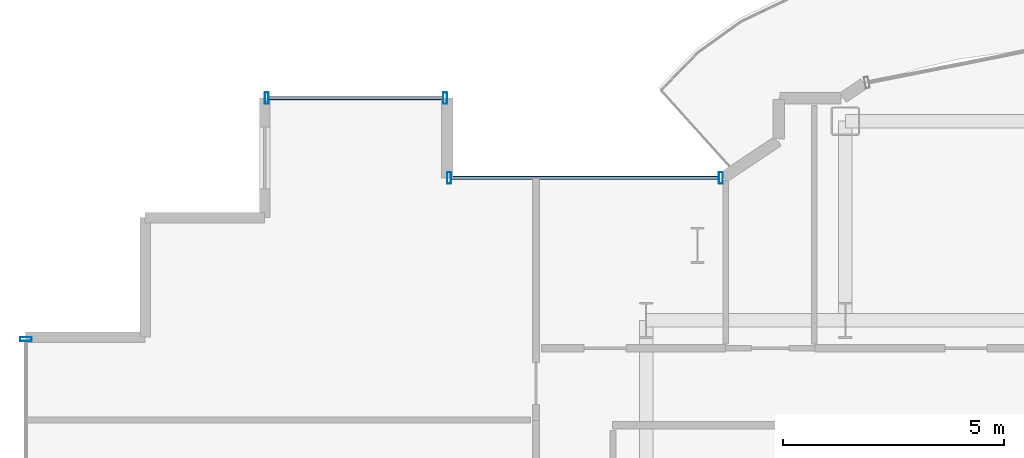
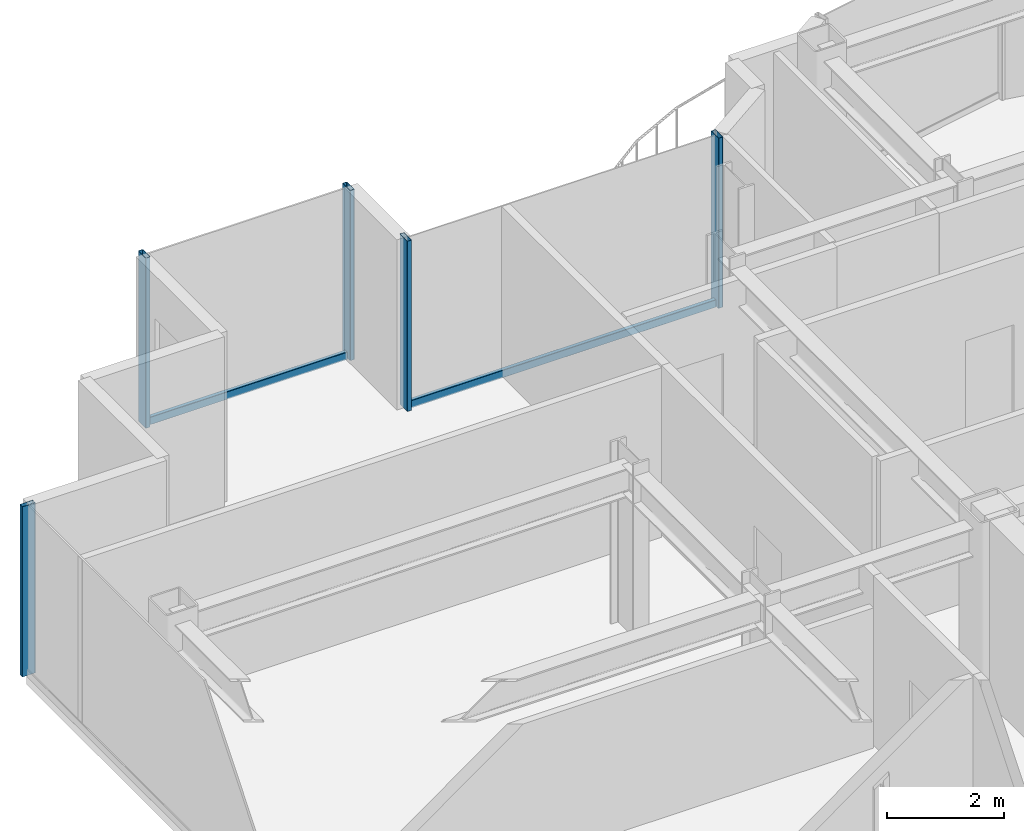
# One storey, part 8 of 21: 7 members, 3 elements without a shape of their own.
"""IFC4 building model written with IfcOpenShell, lengths in metres."""

from ifc_helpers import new_model, si_unit, direction, frame, origin, origin_2d, place, context, subcontext, project, spatial, hollow_rectangle, extrude, source, transform, mapped, material, layer, layer_set, material_profile, profile_set, type_object, element, aggregate, save


model = new_model("IFC4")

# Units and contexts
model_context = context("Model", 3, precision=1e-05, world=origin(), true_north=direction((0.0, 1.0)))
body_context = subcontext(model_context, "Body", "Model", "MODEL_VIEW")
ifc_project = project(units=[si_unit("LENGTHUNIT", "METRE"), si_unit("AREAUNIT", "SQUARE_METRE"), si_unit("VOLUMEUNIT", "CUBIC_METRE"), si_unit("PLANEANGLEUNIT", "RADIAN"), si_unit("MASSUNIT", "GRAM", prefix="KILO")], contexts=[model_context])

# Site, building, storey
site_placement = place(None, origin())
site = spatial("IfcSite", under=ifc_project, at=site_placement, CompositionType="ELEMENT")
building_placement = place(site_placement, origin())
building = spatial("IfcBuilding", under=site, at=building_placement, Name="Nefas-Gora Pilgrimage Tower", CompositionType="ELEMENT")
storey_placement = place(building_placement, frame((0.0, 0.0, 233.199951171875)))
storey = spatial("IfcBuildingStorey", under=building, at=storey_placement, Name="L58", CompositionType="ELEMENT", Elevation=233.199951171875)

# Curtain wall, members
ifc_material_1 = material(Name="Dark ceramic-fritted solar-control aluminium-glass curtain wall", Category="aluminium")
ifc_layer_1 = layer(ifc_material_1, 0.219970703125)
ifc_layer_set_1 = layer_set([ifc_layer_1], Name="Dark ceramic-fritted solar-control aluminium-glass curtain wall")
curtain_wall_type_1 = type_object("IfcCurtainWallType", Name="CW-SYS-5", PredefinedType="NOTDEFINED", material=ifc_layer_set_1)
curtain_wall_1_placement = place(storey_placement, origin())
curtain_wall_1 = element("IfcCurtainWall", 1, at=curtain_wall_1_placement, inside=storey, type_object=curtain_wall_type_1, Name="L58 Unitised Curtain Wall CW5", PredefinedType="NOTDEFINED")
ifc_material_2 = material(Name="Anodised architectural aluminium", Category="aluminium")
ifc_material_profile_1 = material_profile(ifc_material_2, hollow_rectangle(XDim=0.090087890625, YDim=0.260009765625, WallThickness=0.006103515625, InnerFilletRadius=0.006103515625, OuterFilletRadius=0.011962890625, at=origin_2d()), Name="ALU MULLION 90x260")
ifc_profile_set_1 = profile_set([ifc_material_profile_1], Name="Anodised architectural aluminium")
member_type_1 = type_object("IfcMemberType", Name="CWM-MUL-5", PredefinedType="MULLION", material=ifc_profile_set_1)
shared_shape_1 = source(origin(), body_context, "Body", "SweptSolid", [
    extrude(hollow_rectangle(XDim=0.090087890625, YDim=0.260009765625, WallThickness=0.006103515625, InnerFilletRadius=0.006103515625, OuterFilletRadius=0.011962890625, at=origin_2d()), origin(), (0.0, 0.0, 1.0), 3.550048828125),
])
member_1_placement = place(storey_placement, frame((-9.56298828125, 21.219970703125, 0.0), z_axis=(0.0, 0.0, 1.0), x_axis=(-1.0, 0.0, 0.0)))
member_1 = element("IfcMember", 2, at=member_1_placement, type_object=member_type_1, Name="CW5 Mullion 1", PredefinedType="MULLION", context=body_context, shape_type="MappedRepresentation", body=[
    mapped(shared_shape_1, transform((0.0, 0.0, 0.0), x_axis=(1.0, 0.0, 0.0), y_axis=(0.0, 1.0, 0.0), z_axis=(0.0, 0.0, 1.0), scale=1.0)),
])
member_2_placement = place(storey_placement, frame((-15.705078125, 21.219970703125, 0.0), z_axis=(0.0, 0.0, 1.0), x_axis=(-1.0, 0.0, 0.0)))
member_2 = element("IfcMember", 3, at=member_2_placement, type_object=member_type_1, Name="CW5 Mullion 2", PredefinedType="MULLION", context=body_context, shape_type="MappedRepresentation", body=[
    mapped(shared_shape_1, transform((0.0, 0.0, 0.0), x_axis=(1.0, 0.0, 0.0), y_axis=(0.0, 1.0, 0.0), z_axis=(0.0, 0.0, 1.0), scale=1.0)),
])
ifc_material_profile_2 = material_profile(ifc_material_2, hollow_rectangle(XDim=0.080078125, YDim=0.159912109375, WallThickness=0.00439453125, InnerFilletRadius=0.00439453125, OuterFilletRadius=0.009033203125, at=origin_2d()), Name="ALU TRANSOM 80x160")
ifc_profile_set_2 = profile_set([ifc_material_profile_2], Name="Anodised architectural aluminium")
member_type_2 = type_object("IfcMemberType", Name="CWM-TRN-5", PredefinedType="USERDEFINED", material=ifc_profile_set_2)
shared_shape_2 = source(origin(), body_context, "Body", "SweptSolid", [
    extrude(hollow_rectangle(XDim=0.080078125, YDim=0.159912109375, WallThickness=0.00439453125, InnerFilletRadius=0.00439453125, OuterFilletRadius=0.009033203125, at=origin_2d()), origin(), (0.0, 0.0, 1.0), 6.052001953125),
])
member_3_placement = place(storey_placement, frame((-9.60791015625, 21.219970703125, 0.050048828125), z_axis=(-1.0, 0.0, 0.0), x_axis=(0.0, -1.0, 0.0)))
member_3 = element("IfcMember", 4, at=member_3_placement, type_object=member_type_2, Name="CW5 Spandrel Transom", ObjectType="TRANSOM", PredefinedType="USERDEFINED", context=body_context, shape_type="MappedRepresentation", body=[
    mapped(shared_shape_2, transform((0.0, 0.0, 0.0), x_axis=(1.0, 0.0, 0.0), y_axis=(0.0, 1.0, 0.0), z_axis=(0.0, 0.0, 1.0), scale=1.0)),
])
aggregate(curtain_wall_1, [member_1, member_2, member_3])

ifc_layer_2 = layer(ifc_material_1, 0.219970703125)
ifc_layer_set_2 = layer_set([ifc_layer_2], Name="Dark ceramic-fritted solar-control aluminium-glass curtain wall")
curtain_wall_type_2 = type_object("IfcCurtainWallType", Name="CW-SYS-3", PredefinedType="NOTDEFINED", material=ifc_layer_set_2)
curtain_wall_2_placement = place(storey_placement, origin())
curtain_wall_2 = element("IfcCurtainWall", 5, at=curtain_wall_2_placement, inside=storey, type_object=curtain_wall_type_2, Name="L58 Unitised Curtain Wall CW3", PredefinedType="NOTDEFINED")
ifc_material_profile_3 = material_profile(ifc_material_2, hollow_rectangle(XDim=0.090087890625, YDim=0.260009765625, WallThickness=0.006103515625, InnerFilletRadius=0.006103515625, OuterFilletRadius=0.011962890625, at=origin_2d()), Name="ALU MULLION 90x260")
ifc_profile_set_3 = profile_set([ifc_material_profile_3], Name="Anodised architectural aluminium")
member_type_3 = type_object("IfcMemberType", Name="CWM-MUL-3", PredefinedType="MULLION", material=ifc_profile_set_3)
shared_shape_3 = source(origin(), body_context, "Body", "SweptSolid", [
    extrude(hollow_rectangle(XDim=0.090087890625, YDim=0.260009765625, WallThickness=0.006103515625, InnerFilletRadius=0.006103515625, OuterFilletRadius=0.011962890625, at=origin_2d()), origin(), (0.0, 0.0, 1.0), 3.550048828125),
])
member_4_placement = place(storey_placement, frame((-15.794921875, 23.02001953125, 0.0), z_axis=(0.0, 0.0, 1.0), x_axis=(-1.0, 0.0, 0.0)))
member_4 = element("IfcMember", 6, at=member_4_placement, type_object=member_type_3, Name="CW3 Mullion 1", PredefinedType="MULLION", context=body_context, shape_type="MappedRepresentation", body=[
    mapped(shared_shape_3, transform((0.0, 0.0, 0.0), x_axis=(1.0, 0.0, 0.0), y_axis=(0.0, 1.0, 0.0), z_axis=(0.0, 0.0, 1.0), scale=1.0)),
])
member_5_placement = place(storey_placement, frame((-19.824951171875, 23.02001953125, 0.0), z_axis=(0.0, 0.0, 1.0), x_axis=(-1.0, 0.0, 0.0)))
member_5 = element("IfcMember", 7, at=member_5_placement, type_object=member_type_3, Name="CW3 Mullion 2", PredefinedType="MULLION", context=body_context, shape_type="MappedRepresentation", body=[
    mapped(shared_shape_3, transform((0.0, 0.0, 0.0), x_axis=(1.0, 0.0, 0.0), y_axis=(0.0, 1.0, 0.0), z_axis=(0.0, 0.0, 1.0), scale=1.0)),
])

# Curtain wall, member
curtain_wall_3_placement = place(storey_placement, origin())
curtain_wall_3 = element("IfcCurtainWall", 8, at=curtain_wall_3_placement, inside=storey, type_object=curtain_wall_type_2, Name="L58 Unitised Curtain Wall CW3", PredefinedType="NOTDEFINED")
member_6_placement = place(storey_placement, frame((-25.27001953125, 17.574951171875, 0.0), z_axis=(0.0, 0.0, 1.0), x_axis=(0.0, -1.0, 0.0)))
member_6 = element("IfcMember", 9, at=member_6_placement, type_object=member_type_3, Name="CW3 Mullion 1", PredefinedType="MULLION", context=body_context, shape_type="MappedRepresentation", body=[
    mapped(shared_shape_3, transform((0.0, 0.0, 0.0), x_axis=(1.0, 0.0, 0.0), y_axis=(0.0, 1.0, 0.0), z_axis=(0.0, 0.0, 1.0), scale=1.0)),
])
aggregate(curtain_wall_3, [member_6])

# Member
ifc_material_profile_4 = material_profile(ifc_material_2, hollow_rectangle(XDim=0.080078125, YDim=0.159912109375, WallThickness=0.00439453125, InnerFilletRadius=0.00439453125, OuterFilletRadius=0.009033203125, at=origin_2d()), Name="ALU TRANSOM 80x160")
ifc_profile_set_4 = profile_set([ifc_material_profile_4], Name="Anodised architectural aluminium")
member_type_4 = type_object("IfcMemberType", Name="CWM-TRN-3", PredefinedType="USERDEFINED", material=ifc_profile_set_4)
shared_shape_4 = source(origin(), body_context, "Body", "SweptSolid", [
    extrude(hollow_rectangle(XDim=0.080078125, YDim=0.159912109375, WallThickness=0.00439453125, InnerFilletRadius=0.00439453125, OuterFilletRadius=0.009033203125, at=origin_2d()), origin(), (0.0, 0.0, 1.0), 3.93994140625),
])
member_7_placement = place(storey_placement, frame((-15.840087890625, 23.02001953125, 0.050048828125), z_axis=(-1.0, 0.0, 0.0), x_axis=(0.0, -1.0, 0.0)))
member_7 = element("IfcMember", 10, at=member_7_placement, type_object=member_type_4, Name="CW3 Spandrel Transom", ObjectType="TRANSOM", PredefinedType="USERDEFINED", context=body_context, shape_type="MappedRepresentation", body=[
    mapped(shared_shape_4, transform((0.0, 0.0, 0.0), x_axis=(1.0, 0.0, 0.0), y_axis=(0.0, 1.0, 0.0), z_axis=(0.0, 0.0, 1.0), scale=1.0)),
])

aggregate(curtain_wall_2, [member_4, member_5, member_7])

save(model, "model.ifc")
